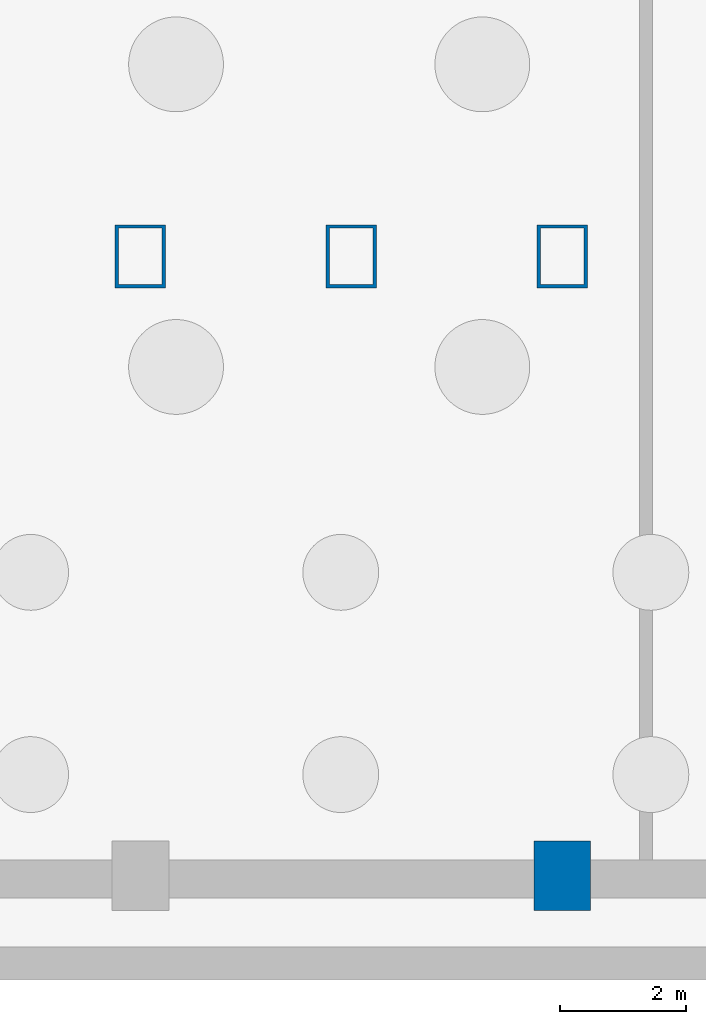
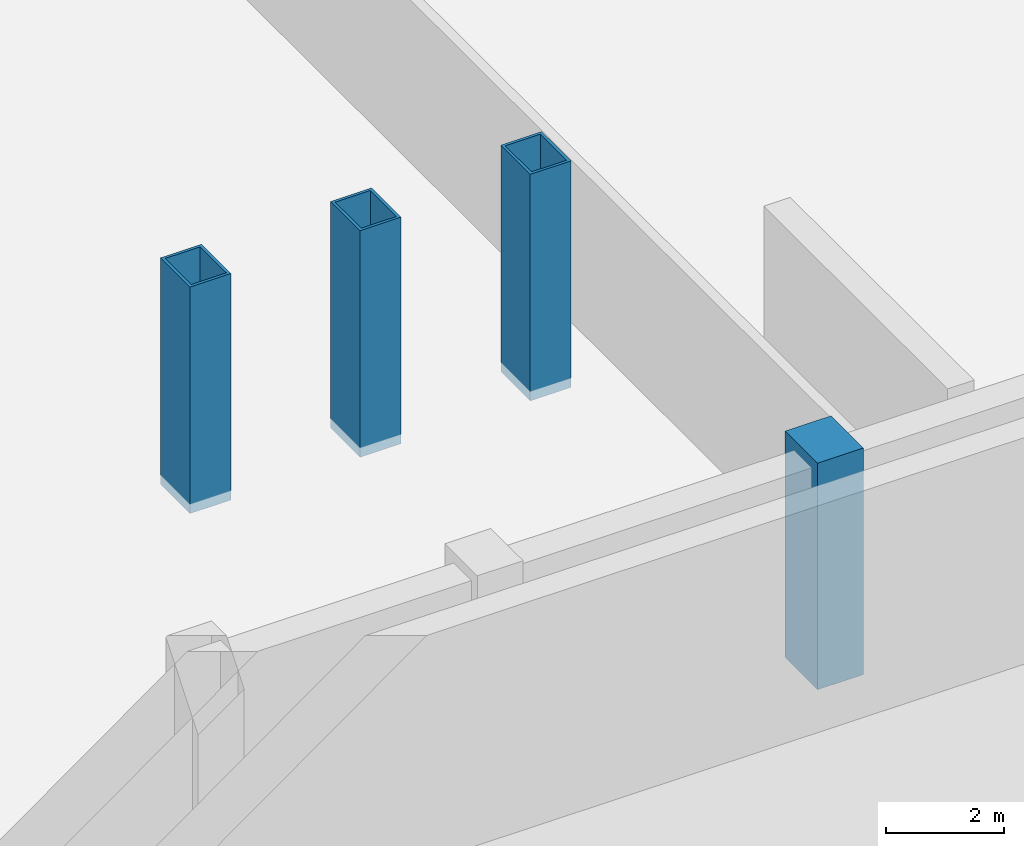
# One storey, part 4 of 11: 4 columns.
"""IFC4 building model written with IfcOpenShell, lengths in metres."""

from ifc_helpers import new_model, si_unit, direction, frame, origin, origin_2d, place, context, subcontext, project, spatial, rectangle, hollow_rectangle, extrude, material, material_profile, profile_set, type_object, element, save


model = new_model("IFC4")

# Units and contexts
model_context = context("Model", 3, precision=1e-05, world=origin(), true_north=direction((0.0, 1.0)))
body_context = subcontext(model_context, "Body", "Model", "MODEL_VIEW")
ifc_project = project(units=[si_unit("LENGTHUNIT", "METRE"), si_unit("AREAUNIT", "SQUARE_METRE"), si_unit("VOLUMEUNIT", "CUBIC_METRE"), si_unit("PLANEANGLEUNIT", "RADIAN"), si_unit("MASSUNIT", "GRAM", prefix="KILO")], contexts=[model_context])

# Site, building, storey
site_placement = place(None, origin())
site = spatial("IfcSite", under=ifc_project, at=site_placement, CompositionType="ELEMENT")
building_placement = place(site_placement, origin())
building = spatial("IfcBuilding", under=site, at=building_placement, Name="Khoronbel Lancet Exchange", CompositionType="ELEMENT")
storey_placement = place(building_placement, frame((0.0, 0.0, -9.0)))
storey = spatial("IfcBuildingStorey", under=building, at=storey_placement, Name="B2", CompositionType="ELEMENT", Elevation=-9.0)

# Columns
ifc_material_1 = material(Name="Steel S460", Category="steel")
ifc_material_profile_1 = material_profile(ifc_material_1, hollow_rectangle(XDim=0.800048828125, YDim=1.0, WallThickness=0.054931640625, at=origin_2d()), Name="BOX 1000x800x55")
ifc_profile_set_1 = profile_set([ifc_material_profile_1], Name="Steel S460")
column_type_1 = type_object("IfcColumnType", Name="COL-EC1", PredefinedType="COLUMN", material=ifc_profile_set_1)
for number, where, z_axis, x_axis, name in (
    (1, (48.0, 10.14990234375, -0.199951171875), (0.0, 0.0, 1.0), (1.0, 0.0, 0.0), "Structural column SC-E1 B2"),
    (2, (51.33740234375, 10.14990234375, -0.199951171875), (0.0, 0.0, 1.0), (1.0, 0.0, 0.0), "Structural column SC-EM B2"),
    (3, (54.675048828125, 10.14990234375, -0.199951171875), (0.0, 0.0, 1.0), (1.0, 0.0, 0.0), "Structural column SC-E2 B2"),
):
    element("IfcColumn", number, at=place(storey_placement, frame(where, z_axis=z_axis, x_axis=x_axis)), inside=storey, type_object=column_type_1, Name=name, PredefinedType="COLUMN", context=body_context, shape_type="SweptSolid", body=[
        extrude(hollow_rectangle(XDim=0.800048828125, YDim=1.0, WallThickness=0.054931640625, at=origin_2d()), origin(), (0.0, 0.0, 1.0), 4.699951171875),
    ])
ifc_material_2 = material(Name="Concrete C60/75", Category="concrete")
ifc_material_profile_2 = material_profile(ifc_material_2, rectangle(XDim=0.89990234375, YDim=1.10009765625, at=origin_2d()), Name="RC 900x1100")
ifc_profile_set_2 = profile_set([ifc_material_profile_2], Name="Concrete C60/75")
column_type_2 = type_object("IfcColumnType", Name="COL-PIL1", PredefinedType="PILASTER", material=ifc_profile_set_2)
column_placement = place(storey_placement, frame((54.675048828125, 0.35009765625, -0.199951171875), z_axis=(0.0, 0.0, 1.0), x_axis=(1.0, 0.0, 0.0)))
element("IfcColumn", 4, at=column_placement, inside=storey, type_object=column_type_2, Name="Substructure south perimeter column SB6 B2", PredefinedType="PILASTER", context=body_context, shape_type="SweptSolid", body=[
    extrude(rectangle(XDim=0.89990234375, YDim=1.10009765625, at=origin_2d()), origin(), (0.0, 0.0, 1.0), 4.699951171875),
])

save(model, "model.ifc")
